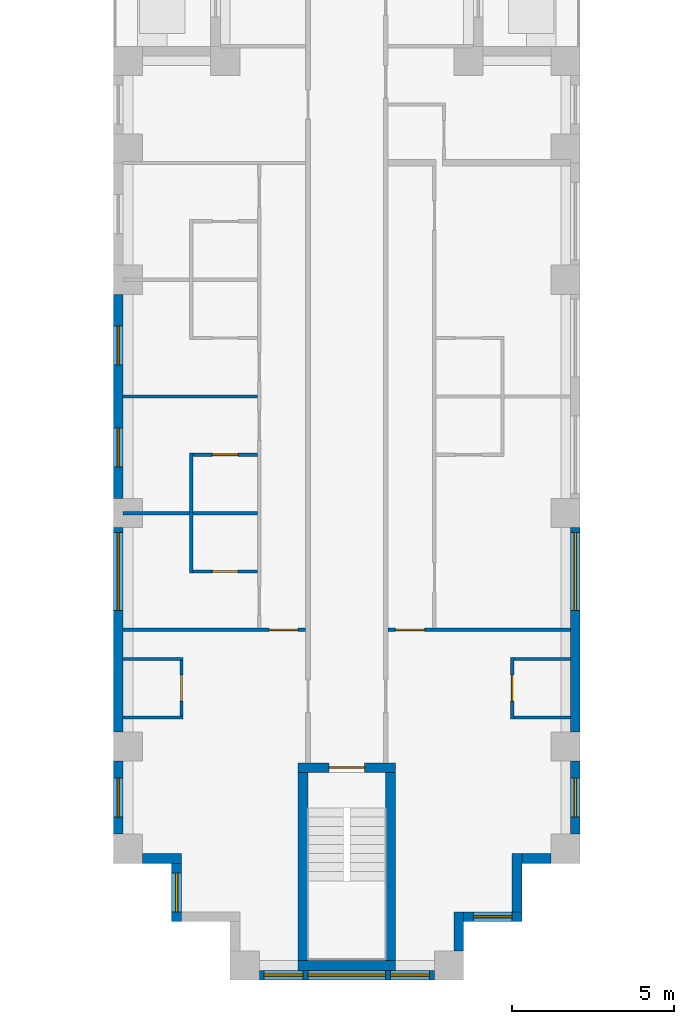
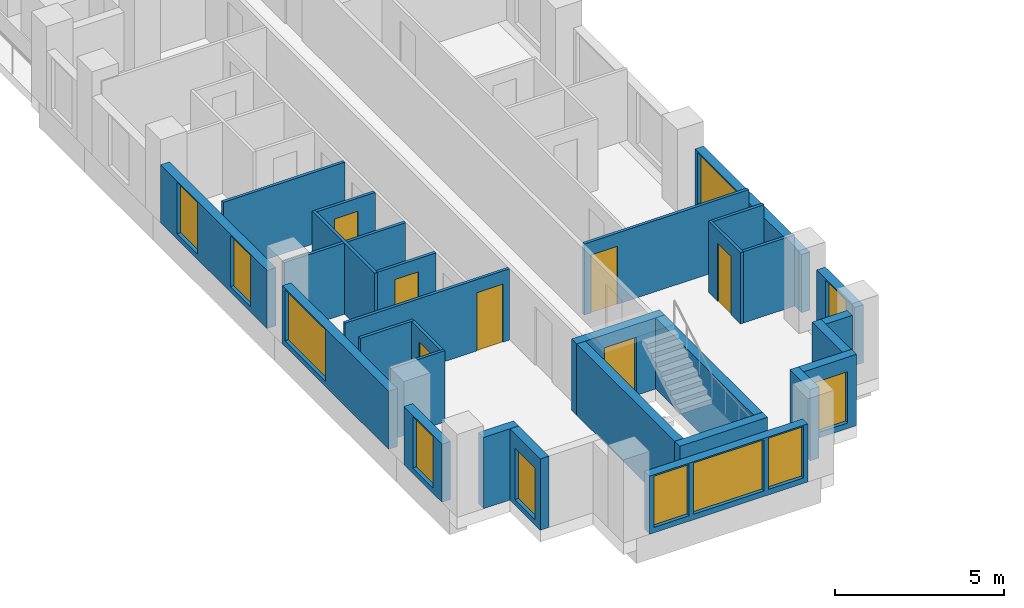
# One storey, part 3 of 13: 29 walls, 11 windows, 7 doors, 18 openings.
"""IFC4 building model written with IfcOpenShell, lengths in metres."""

import ifcopenshell
import ifcopenshell.guid

model = None  # the IFC model being written
_history = None  # IfcOwnerHistory: only IFC2X3 demands one
_inside = {}  # id of a spatial element -> (the spatial element, [elements in it])
_under = {}  # id of a project, library or spatial element -> (it, [spatial elements below it])
_declared = {}  # id of a project -> (the project, [libraries it declares])
_typed = {}  # id of a type object -> (the type object, [elements of that type])
_made_of = {}  # id of a material, layer set ... -> (it, [elements and type objects made of it])


def new_model(schema):
    """Start an empty IFC model of exactly this schema.

    Asked for "IFC4X3", IfcOpenShell would pick the latest addendum, in which some entities
    have other attributes; the version numbers below select the first issue.
    IFC2X3 requires an IfcOwnerHistory on every rooted entity: one is made here for all.
    """
    global model, _history
    if schema == "IFC4X3":
        model = ifcopenshell.file(schema_version=(4, 3, 0, 0))
    else:
        model = ifcopenshell.file(schema=schema)
    _inside.clear()
    _under.clear()
    _declared.clear()
    _typed.clear()
    _made_of.clear()
    _history = None
    if model.schema == "IFC2X3":
        org = make("IfcOrganization", Name="unknown")
        user = make(
            "IfcPersonAndOrganization",
            ThePerson=make("IfcPerson", FamilyName="unknown"),
            TheOrganization=org,
        )
        app = make(
            "IfcApplication",
            ApplicationDeveloper=org,
            Version="unknown",
            ApplicationFullName="unknown",
            ApplicationIdentifier="unknown",
        )
        _history = make(
            "IfcOwnerHistory",
            OwningUser=user,
            OwningApplication=app,
            ChangeAction="ADDED",
            CreationDate=0,
        )
    return model


def make(cls, **values):
    """One entity of the class cls with the attributes given. An attribute that is None is left unset."""
    return model.create_entity(
        cls, **{name: value for name, value in values.items() if value is not None}
    )


def rooted(cls, **values):
    """An entity with a GlobalId (a new one), such as an element, a storey or a relation."""
    return make(cls, GlobalId=ifcopenshell.guid.new(), OwnerHistory=_history, **values)


def si_unit(unit_type, name, prefix=None):
    """IfcSIUnit, for example si_unit("LENGTHUNIT", "METRE", prefix="MILLI")."""
    return make("IfcSIUnit", UnitType=unit_type, Prefix=prefix, Name=name)


def assignment(units):
    """IfcUnitAssignment: the units of a project."""
    return None if units is None else make("IfcUnitAssignment", Units=units)


def point(xyz):
    """IfcCartesianPoint."""
    return None if xyz is None else make("IfcCartesianPoint", Coordinates=xyz)


def direction(xyz):
    """IfcDirection."""
    return None if xyz is None else make("IfcDirection", DirectionRatios=xyz)


def frame(location, z_axis=None, x_axis=None):
    """IfcAxis2Placement3D, a coordinate frame: its origin and axes. An axis left out is left unset."""
    return make(
        "IfcAxis2Placement3D",
        Location=point(location),
        Axis=direction(z_axis),
        RefDirection=direction(x_axis),
    )


def frame_2d(location, x_axis=None):
    """IfcAxis2Placement2D, a coordinate frame in the plane: its origin and x axis."""
    return make(
        "IfcAxis2Placement2D", Location=point(location), RefDirection=direction(x_axis)
    )


def origin():
    """The frame at (0, 0, 0) with its axes left unset."""
    return frame((0.0, 0.0, 0.0))


def place(relative_to, where):
    """IfcLocalPlacement: puts the frame where relative to a parent placement (None: the world)."""
    return make(
        "IfcLocalPlacement", PlacementRelTo=relative_to, RelativePlacement=where
    )


def context(
    kind, dimensions, precision=None, world=None, true_north=None, identifier=None
):
    """IfcGeometricRepresentationContext, for example the 3D "Model" context."""
    return make(
        "IfcGeometricRepresentationContext",
        ContextIdentifier=identifier,
        ContextType=kind,
        CoordinateSpaceDimension=dimensions,
        Precision=precision,
        WorldCoordinateSystem=world,
        TrueNorth=true_north,
    )


def subcontext(parent, identifier, kind, view, scale=None):
    """IfcGeometricRepresentationSubContext, for example "Body" below "Model"."""
    return make(
        "IfcGeometricRepresentationSubContext",
        ContextIdentifier=identifier,
        ContextType=kind,
        ParentContext=parent,
        TargetScale=scale,
        TargetView=view,
    )


def project(units=None, contexts=None):
    """IfcProject with its units and contexts."""
    return rooted(
        "IfcProject",
        Name="project",
        RepresentationContexts=contexts,
        UnitsInContext=assignment(units),
    )


def spatial(cls, under=None, at=None, **own):
    """A site, building, storey or space (cls), placed at a placement, below another one or the project."""
    s = rooted(cls, ObjectPlacement=at, **own)
    if under is not None:
        _under.setdefault(under.id(), (under, []))[1].append(s)
    return s


def profile(cls, at=None, kind="AREA", **sizes):
    """A parametric profile (cls). Its sizes go by their IFC names, for example OverallWidth=200.0."""
    return make(cls, ProfileType=kind, Position=at, **sizes)


def rectangle(**sizes):
    """IfcRectangleProfileDef."""
    return profile("IfcRectangleProfileDef", **sizes)


def extrude(swept, where, along, depth):
    """IfcExtrudedAreaSolid: the profile swept, set in the frame where, extruded along a direction by depth."""
    return make(
        "IfcExtrudedAreaSolid",
        SweptArea=swept,
        Position=where,
        ExtrudedDirection=direction(along),
        Depth=depth,
    )


def shape(context_of_items, identifier, shape_type, items):
    """IfcShapeRepresentation: the items that make up one representation, for example the "Body"."""
    return make(
        "IfcShapeRepresentation",
        ContextOfItems=context_of_items,
        RepresentationIdentifier=identifier,
        RepresentationType=shape_type,
        Items=items,
    )


def material(Name=None, Category=None):
    """IfcMaterial."""
    return make("IfcMaterial", Name=Name, Category=Category)


def layer(
    of_material, thickness, ventilated=None, Name=None, Category=None, Priority=None
):
    """IfcMaterialLayer: one layer of a wall or slab, of a material (None: an air gap)."""
    return make(
        "IfcMaterialLayer",
        Material=of_material,
        LayerThickness=thickness,
        IsVentilated=ventilated,
        Name=Name,
        Category=Category,
        Priority=Priority,
    )


def layer_set(layers, Name=None):
    """IfcMaterialLayerSet."""
    return make("IfcMaterialLayerSet", MaterialLayers=layers, LayerSetName=Name)


def made_of(thing, what):
    """Note that an element or type object is made of a material, layer set ...; save() writes the relation."""
    if what is not None:
        _made_of.setdefault(what.id(), (what, []))[1].append(thing)
    return thing


def type_object(cls, material=None, **own):
    """A type object (cls), such as IfcWallType, which elements share."""
    return made_of(rooted(cls, **own), material)


def element(
    cls,
    number,
    at=None,
    inside=None,
    cuts=None,
    type_object=None,
    material=None,
    context=None,
    identifier="Body",
    shape_type=None,
    held_by="IfcProductDefinitionShape",
    body=None,
    shapes=None,
    **own,
):
    """One element of the class cls, such as IfcWall. Its Tag is "e" and its number.

    at: its placement. inside: the storey or other place that contains it. cuts: it is an
    opening in that element (IfcRelVoidsElement). A single representation is given by context,
    identifier, shape_type and body (its items); several are given by shapes. held_by: the class
    of the entity that holds the representations. save() writes the other relations.
    """
    e = rooted(cls, Tag="e%d" % number, ObjectPlacement=at, **own)
    if body is not None:
        shapes = [shape(context, identifier, shape_type, body)]
    if shapes is not None:
        e.Representation = make(held_by, Representations=shapes)
    if inside is not None:
        _inside.setdefault(inside.id(), (inside, []))[1].append(e)
    if cuts is not None:
        rooted(
            "IfcRelVoidsElement", RelatingBuildingElement=cuts, RelatedOpeningElement=e
        )
    if type_object is not None:
        _typed.setdefault(type_object.id(), (type_object, []))[1].append(e)
    return made_of(e, material)


def fill(opening, filler):
    """IfcRelFillsElement: the door or window that sits in an opening."""
    return rooted(
        "IfcRelFillsElement",
        RelatingOpeningElement=opening,
        RelatedBuildingElement=filler,
    )


def aggregate(whole, parts):
    """IfcRelAggregates: a whole, such as a stair, and the parts it consists of."""
    return rooted("IfcRelAggregates", RelatingObject=whole, RelatedObjects=parts)


def save(model, path):
    """Write the relations noted so far, then the file.

    IfcRelAggregates (storeys below a building ...), IfcRelContainedInSpatialStructure (elements
    in a storey), IfcRelDefinesByType, IfcRelAssociatesMaterial and IfcRelDeclares: one each for
    every whole, place, type object, material and project.
    """
    for whole, parts in _under.values():
        aggregate(whole, parts)
    for where, things in _inside.values():
        rooted(
            "IfcRelContainedInSpatialStructure",
            RelatedElements=things,
            RelatingStructure=where,
        )
    for kind, things in _typed.values():
        rooted("IfcRelDefinesByType", RelatedObjects=things, RelatingType=kind)
    for what, things in _made_of.values():
        rooted("IfcRelAssociatesMaterial", RelatedObjects=things, RelatingMaterial=what)
    for by, libraries in _declared.values():
        rooted("IfcRelDeclares", RelatingContext=by, RelatedDefinitions=libraries)
    model.write(path)


model = new_model("IFC4")

# Units and contexts
model_context = context("Model", 3, precision=1e-05, world=origin(), true_north=direction((0.0, 1.0)))
body_context = subcontext(model_context, "Body", "Model", "MODEL_VIEW")
ifc_project = project(units=[si_unit("LENGTHUNIT", "METRE"), si_unit("AREAUNIT", "SQUARE_METRE"), si_unit("VOLUMEUNIT", "CUBIC_METRE"), si_unit("PLANEANGLEUNIT", "RADIAN"), si_unit("MASSUNIT", "GRAM", prefix="KILO")], contexts=[model_context])

# Site, building, storey
site_placement = place(None, origin())
site = spatial("IfcSite", under=ifc_project, at=site_placement, CompositionType="ELEMENT")
building_placement = place(site_placement, origin())
building = spatial("IfcBuilding", under=site, at=building_placement, Name="Fustian Cross Tower", CompositionType="ELEMENT")
storey_placement = place(building_placement, frame((0.0, 0.0, 84.89990234375)))
storey = spatial("IfcBuildingStorey", under=building, at=storey_placement, Name="L26", CompositionType="ELEMENT", Elevation=84.89990234375)

# Walls
ifc_material_1 = material(Name="Plasterboard on steel stud", Category="steel")
ifc_layer_1 = layer(ifc_material_1, 0.10009765625)
ifc_layer_set_1 = layer_set([ifc_layer_1], Name="Plasterboard on steel stud")
wall_type_1 = type_object("IfcWallType", Name="PARTITION 100 STUD", PredefinedType="PARTITIONING", material=ifc_layer_set_1)
for number, where, z_axis, x_axis, name in (
    (1, (-6.89990234375, -35.10009765625, 0.0), (0.0, 0.0, 1.0), (1.0, 0.0, 0.0), "Partition 17"),
    (2, (-6.89990234375, -33.300048828125, 0.0), (0.0, 0.0, 1.0), (1.0, 0.0, 0.0), "Partition 18"),
):
    element("IfcWall", number, at=place(storey_placement, frame(where, z_axis=z_axis, x_axis=x_axis)), inside=storey, type_object=wall_type_1, Name=name, PredefinedType="PARTITIONING", context=body_context, shape_type="SweptSolid", body=[
        extrude(rectangle(XDim=1.849853515625, YDim=0.10009765625, at=frame_2d((0.9248046875, 0.0))), origin(), (0.0, 0.0, 1.0), 2.5751953125),
    ])

# Wall, opening, door
wall_1_placement = place(storey_placement, frame((-6.89990234375, -32.39990234375, 0.0), z_axis=(0.0, 0.0, 1.0), x_axis=(1.0, 0.0, 0.0)))
wall_1 = element("IfcWall", 3, at=wall_1_placement, inside=storey, type_object=wall_type_1, Name="Partition 19", PredefinedType="PARTITIONING", context=body_context, shape_type="SweptSolid", body=[
    extrude(rectangle(XDim=5.625, YDim=0.10009765625, at=frame_2d((2.8125, 0.0))), origin(), (0.0, 0.0, 1.0), 2.5751953125),
])
opening_1_placement = place(wall_1_placement, frame((4.5, 0.0, 0.0)))
opening_1 = element("IfcOpeningElement", 4, at=opening_1_placement, cuts=wall_1, Name="Opening D13051", PredefinedType="OPENING", context=body_context, shape_type="SweptSolid", body=[
    extrude(rectangle(XDim=0.89990234375, YDim=2.10009765625, at=frame_2d((0.449951171875, 1.050048828125))), frame((0.0, 0.06005859375, 0.0), z_axis=(0.0, -1.0, 0.0), x_axis=(1.0, 0.0, 0.0)), (0.0, 0.0, 1.0), 0.1201171875),
])
ifc_material_2 = material(Name="Painted timber", Category="wood")
door_type_1 = type_object("IfcDoorType", Name="SWING DOOR 900", OperationType="SINGLE_SWING_LEFT", PredefinedType="DOOR", material=ifc_material_2)
door_1_placement = place(opening_1_placement, origin())
door_1 = element("IfcDoor", 5, at=door_1_placement, inside=storey, type_object=door_type_1, Name="Door D13051", OperationType="SINGLE_SWING_LEFT", OverallHeight=2.10009765625, OverallWidth=0.89990234375, PredefinedType="DOOR", context=body_context, shape_type="SweptSolid", body=[
    extrude(rectangle(XDim=0.89990234375, YDim=2.10009765625, at=frame_2d((0.449951171875, 1.050048828125))), frame((0.0, 0.02490234375, 0.0), z_axis=(0.0, -1.0, 0.0), x_axis=(1.0, 0.0, 0.0)), (0.0, 0.0, 1.0), 0.050048828125),
])
fill(opening_1, door_1)

# Walls
for number, where, z_axis, x_axis, name in (
    (6, (-6.89990234375, -28.800048828125, 0.0), (0.0, 0.0, 1.0), (1.0, 0.0, 0.0), "Partition 20"),
    (7, (-6.89990234375, -25.199951171875, 0.0), (0.0, 0.0, 1.0), (1.0, 0.0, 0.0), "Partition 21"),
):
    element("IfcWall", number, at=place(storey_placement, frame(where, z_axis=z_axis, x_axis=x_axis)), inside=storey, type_object=wall_type_1, Name=name, PredefinedType="PARTITIONING", context=body_context, shape_type="SweptSolid", body=[
        extrude(rectangle(XDim=4.14990234375, YDim=0.10009765625, at=frame_2d((2.074951171875, 0.0))), origin(), (0.0, 0.0, 1.0), 2.5751953125),
    ])

# Wall, opening, door
wall_2_placement = place(storey_placement, frame((-5.10009765625, -35.050048828125, 0.0), z_axis=(0.0, 0.0, 1.0), x_axis=(0.0, 1.0, 0.0)))
wall_2 = element("IfcWall", 8, at=wall_2_placement, inside=storey, type_object=wall_type_1, Name="Partition 24", PredefinedType="PARTITIONING", context=body_context, shape_type="SweptSolid", body=[
    extrude(rectangle(XDim=1.699951171875, YDim=0.10009765625, at=frame_2d((0.85009765625, 0.0))), origin(), (0.0, 0.0, 1.0), 2.5751953125),
])
opening_2_placement = place(wall_2_placement, frame((0.449951171875, 0.0, 0.0)))
opening_2 = element("IfcOpeningElement", 9, at=opening_2_placement, cuts=wall_2, Name="Opening D13045", PredefinedType="OPENING", context=body_context, shape_type="SweptSolid", body=[
    extrude(rectangle(XDim=0.800048828125, YDim=2.10009765625, at=frame_2d((0.39990234375, 1.050048828125))), frame((0.0, 0.06005859375, 0.0), z_axis=(0.0, -1.0, 0.0), x_axis=(1.0, 0.0, 0.0)), (0.0, 0.0, 1.0), 0.1201171875),
])
ifc_material_3 = material(Name="Painted timber", Category="wood")
door_type_2 = type_object("IfcDoorType", Name="SWING DOOR 800", OperationType="SINGLE_SWING_LEFT", PredefinedType="DOOR", material=ifc_material_3)
door_2_placement = place(opening_2_placement, origin())
door_2 = element("IfcDoor", 10, at=door_2_placement, inside=storey, type_object=door_type_2, Name="Door D13045", OperationType="SINGLE_SWING_RIGHT", OverallHeight=2.10009765625, OverallWidth=0.800048828125, PredefinedType="DOOR", context=body_context, shape_type="SweptSolid", body=[
    extrude(rectangle(XDim=0.800048828125, YDim=2.10009765625, at=frame_2d((0.39990234375, 1.050048828125))), frame((0.0, 0.02490234375, 0.0), z_axis=(0.0, -1.0, 0.0), x_axis=(1.0, 0.0, 0.0)), (0.0, 0.0, 1.0), 0.050048828125),
])
fill(opening_2, door_2)

# Wall
wall_3_placement = place(storey_placement, frame((-4.800048828125, -30.64990234375, 0.0), z_axis=(0.0, 0.0, 1.0), x_axis=(0.0, 1.0, 0.0)))
element("IfcWall", 11, at=wall_3_placement, inside=storey, type_object=wall_type_1, Name="Partition 25", PredefinedType="PARTITIONING", context=body_context, shape_type="SweptSolid", body=[
    extrude(rectangle(XDim=3.699951171875, YDim=0.10009765625, at=frame_2d((1.85009765625, 0.0))), origin(), (0.0, 0.0, 1.0), 2.5751953125),
])

# Wall, opening, door
wall_4_placement = place(storey_placement, frame((-4.75, -30.60009765625, 0.0), z_axis=(0.0, 0.0, 1.0), x_axis=(1.0, 0.0, 0.0)))
wall_4 = element("IfcWall", 12, at=wall_4_placement, inside=storey, type_object=wall_type_1, Name="Partition 26", PredefinedType="PARTITIONING", context=body_context, shape_type="SweptSolid", body=[
    extrude(rectangle(XDim=2.0, YDim=0.10009765625, at=frame_2d((1.0, 0.0))), origin(), (0.0, 0.0, 1.0), 2.5751953125),
])
opening_3_placement = place(wall_4_placement, frame((0.60009765625, 0.0, 0.0)))
opening_3 = element("IfcOpeningElement", 13, at=opening_3_placement, cuts=wall_4, Name="Opening D13055", PredefinedType="OPENING", context=body_context, shape_type="SweptSolid", body=[
    extrude(rectangle(XDim=0.800048828125, YDim=2.10009765625, at=frame_2d((0.39990234375, 1.050048828125))), frame((0.0, 0.06005859375, 0.0), z_axis=(0.0, -1.0, 0.0), x_axis=(1.0, 0.0, 0.0)), (0.0, 0.0, 1.0), 0.1201171875),
])
door_3_placement = place(opening_3_placement, origin())
door_3 = element("IfcDoor", 14, at=door_3_placement, inside=storey, type_object=door_type_2, Name="Door D13055", OperationType="SINGLE_SWING_LEFT", OverallHeight=2.10009765625, OverallWidth=0.800048828125, PredefinedType="DOOR", context=body_context, shape_type="SweptSolid", body=[
    extrude(rectangle(XDim=0.800048828125, YDim=2.10009765625, at=frame_2d((0.39990234375, 1.050048828125))), frame((0.0, 0.02490234375, 0.0), z_axis=(0.0, -1.0, 0.0), x_axis=(1.0, 0.0, 0.0)), (0.0, 0.0, 1.0), 0.050048828125),
])
fill(opening_3, door_3)

wall_5_placement = place(storey_placement, frame((-4.75, -27.0, 0.0), z_axis=(0.0, 0.0, 1.0), x_axis=(1.0, 0.0, 0.0)))
wall_5 = element("IfcWall", 15, at=wall_5_placement, inside=storey, type_object=wall_type_1, Name="Partition 27", PredefinedType="PARTITIONING", context=body_context, shape_type="SweptSolid", body=[
    extrude(rectangle(XDim=2.0, YDim=0.10009765625, at=frame_2d((1.0, 0.0))), origin(), (0.0, 0.0, 1.0), 2.5751953125),
])
opening_4_placement = place(wall_5_placement, frame((0.60009765625, 0.0, 0.0)))
opening_4 = element("IfcOpeningElement", 16, at=opening_4_placement, cuts=wall_5, Name="Opening D13054", PredefinedType="OPENING", context=body_context, shape_type="SweptSolid", body=[
    extrude(rectangle(XDim=0.800048828125, YDim=2.10009765625, at=frame_2d((0.39990234375, 1.050048828125))), frame((0.0, 0.06005859375, 0.0), z_axis=(0.0, -1.0, 0.0), x_axis=(1.0, 0.0, 0.0)), (0.0, 0.0, 1.0), 0.1201171875),
])
door_4_placement = place(opening_4_placement, frame((0.800048828125, 0.0, 0.0), z_axis=(0.0, 0.0, 1.0), x_axis=(-1.0, 0.0, 0.0)))
door_4 = element("IfcDoor", 17, at=door_4_placement, inside=storey, type_object=door_type_2, Name="Door D13054", OperationType="SINGLE_SWING_RIGHT", OverallHeight=2.10009765625, OverallWidth=0.800048828125, PredefinedType="DOOR", context=body_context, shape_type="SweptSolid", body=[
    extrude(rectangle(XDim=0.800048828125, YDim=2.10009765625, at=frame_2d((0.39990234375, 1.050048828125))), frame((0.0, 0.02490234375, 0.0), z_axis=(0.0, -1.0, 0.0), x_axis=(1.0, 0.0, 0.0)), (0.0, 0.0, 1.0), 0.050048828125),
])
fill(opening_4, door_4)

wall_6_placement = place(storey_placement, frame((1.27490234375, -32.39990234375, 0.0), z_axis=(0.0, 0.0, 1.0), x_axis=(1.0, 0.0, 0.0)))
wall_6 = element("IfcWall", 18, at=wall_6_placement, inside=storey, type_object=wall_type_1, Name="Partition 42", PredefinedType="PARTITIONING", context=body_context, shape_type="SweptSolid", body=[
    extrude(rectangle(XDim=5.625, YDim=0.10009765625, at=frame_2d((2.8125, 0.0))), origin(), (0.0, 0.0, 1.0), 2.5751953125),
])
opening_5_placement = place(wall_6_placement, frame((0.22509765625, 0.0, 0.0)))
opening_5 = element("IfcOpeningElement", 19, at=opening_5_placement, cuts=wall_6, Name="Opening D13038", PredefinedType="OPENING", context=body_context, shape_type="SweptSolid", body=[
    extrude(rectangle(XDim=0.89990234375, YDim=2.10009765625, at=frame_2d((0.449951171875, 1.050048828125))), frame((0.0, 0.06005859375, 0.0), z_axis=(0.0, -1.0, 0.0), x_axis=(1.0, 0.0, 0.0)), (0.0, 0.0, 1.0), 0.1201171875),
])
door_5_placement = place(opening_5_placement, origin())
door_5 = element("IfcDoor", 20, at=door_5_placement, inside=storey, type_object=door_type_1, Name="Door D13038", OperationType="SINGLE_SWING_LEFT", OverallHeight=2.10009765625, OverallWidth=0.89990234375, PredefinedType="DOOR", context=body_context, shape_type="SweptSolid", body=[
    extrude(rectangle(XDim=0.89990234375, YDim=2.10009765625, at=frame_2d((0.449951171875, 1.050048828125))), frame((0.0, 0.02490234375, 0.0), z_axis=(0.0, -1.0, 0.0), x_axis=(1.0, 0.0, 0.0)), (0.0, 0.0, 1.0), 0.050048828125),
])
fill(opening_5, door_5)

wall_7_placement = place(storey_placement, frame((5.10009765625, -35.14990234375, 0.0), z_axis=(0.0, 0.0, 1.0), x_axis=(0.0, 1.0, 0.0)))
wall_7 = element("IfcWall", 21, at=wall_7_placement, inside=storey, type_object=wall_type_1, Name="Partition 66", PredefinedType="PARTITIONING", context=body_context, shape_type="SweptSolid", body=[
    extrude(rectangle(XDim=1.89990234375, YDim=0.10009765625, at=frame_2d((0.949951171875, 0.0))), origin(), (0.0, 0.0, 1.0), 2.5751953125),
])
opening_6_placement = place(wall_7_placement, frame((0.550048828125, 0.0, 0.0)))
opening_6 = element("IfcOpeningElement", 22, at=opening_6_placement, cuts=wall_7, Name="Opening D13036", PredefinedType="OPENING", context=body_context, shape_type="SweptSolid", body=[
    extrude(rectangle(XDim=0.800048828125, YDim=2.10009765625, at=frame_2d((0.39990234375, 1.050048828125))), frame((0.0, 0.06005859375, 0.0), z_axis=(0.0, -1.0, 0.0), x_axis=(1.0, 0.0, 0.0)), (0.0, 0.0, 1.0), 0.1201171875),
])
door_6_placement = place(opening_6_placement, frame((0.800048828125, 0.0, 0.0), z_axis=(0.0, 0.0, 1.0), x_axis=(-1.0, 0.0, 0.0)))
door_6 = element("IfcDoor", 23, at=door_6_placement, inside=storey, type_object=door_type_2, Name="Door D13036", OperationType="SINGLE_SWING_LEFT", OverallHeight=2.10009765625, OverallWidth=0.800048828125, PredefinedType="DOOR", context=body_context, shape_type="SweptSolid", body=[
    extrude(rectangle(XDim=0.800048828125, YDim=2.10009765625, at=frame_2d((0.39990234375, 1.050048828125))), frame((0.0, 0.02490234375, 0.0), z_axis=(0.0, -1.0, 0.0), x_axis=(1.0, 0.0, 0.0)), (0.0, 0.0, 1.0), 0.050048828125),
])
fill(opening_6, door_6)

# Walls
for number, where, z_axis, x_axis, name in (
    (24, (5.14990234375, -35.10009765625, 0.0), (0.0, 0.0, 1.0), (1.0, 0.0, 0.0), "Partition 67"),
    (25, (5.14990234375, -33.300048828125, 0.0), (0.0, 0.0, 1.0), (1.0, 0.0, 0.0), "Partition 68"),
):
    element("IfcWall", number, at=place(storey_placement, frame(where, z_axis=z_axis, x_axis=x_axis)), inside=storey, type_object=wall_type_1, Name=name, PredefinedType="PARTITIONING", context=body_context, shape_type="SweptSolid", body=[
        extrude(rectangle(XDim=1.75, YDim=0.10009765625, at=frame_2d((0.875, 0.0))), origin(), (0.0, 0.0, 1.0), 2.5751953125),
    ])

# Wall, opening, door
ifc_material_4 = material(Name="Concrete C50/60", Category="concrete")
ifc_layer_2 = layer(ifc_material_4, 0.300048828125)
ifc_layer_set_2 = layer_set([ifc_layer_2], Name="Concrete C50/60")
wall_type_2 = type_object("IfcWallType", Name="STAIR ENCLOSURE WALL 300 C50/60", PredefinedType="SHEAR", material=ifc_layer_set_2)
wall_8_placement = place(storey_placement, frame((-1.5, -36.64990234375, 0.0), z_axis=(0.0, 0.0, 1.0), x_axis=(1.0, 0.0, 0.0)))
wall_8 = element("IfcWall", 26, at=wall_8_placement, inside=storey, type_object=wall_type_2, Name="Stair enclosure wall", PredefinedType="SHEAR", context=body_context, shape_type="SweptSolid", body=[
    extrude(rectangle(XDim=3.0, YDim=0.300048828125, at=frame_2d((1.5, 0.0))), origin(), (0.0, 0.0, 1.0), 2.5751953125),
])
opening_7_placement = place(wall_8_placement, frame((0.949951171875, 0.0, 0.0)))
opening_7 = element("IfcOpeningElement", 27, at=opening_7_placement, cuts=wall_8, Name="Opening CD-11-31", PredefinedType="OPENING", context=body_context, shape_type="SweptSolid", body=[
    extrude(rectangle(XDim=1.10009765625, YDim=2.10009765625, at=frame_2d((0.550048828125, 1.050048828125))), frame((0.0, 0.159912109375, 0.0), z_axis=(0.0, -1.0, 0.0), x_axis=(1.0, 0.0, 0.0)), (0.0, 0.0, 1.0), 0.320068359375),
])
ifc_material_5 = material(Name="Steel", Category="steel")
door_type_3 = type_object("IfcDoorType", Name="FIRE DOOR FD60S 1100X2100", OperationType="SINGLE_SWING_LEFT", PredefinedType="DOOR", material=ifc_material_5)
door_7_placement = place(opening_7_placement, frame((1.10009765625, 0.0, 0.0), z_axis=(0.0, 0.0, 1.0), x_axis=(-1.0, 0.0, 0.0)))
door_7 = element("IfcDoor", 28, at=door_7_placement, inside=storey, type_object=door_type_3, Name="Core door CD-11-31", OperationType="SINGLE_SWING_RIGHT", OverallHeight=2.10009765625, OverallWidth=1.10009765625, PredefinedType="DOOR", context=body_context, shape_type="SweptSolid", body=[
    extrude(rectangle(XDim=1.10009765625, YDim=2.10009765625, at=frame_2d((0.550048828125, 1.050048828125))), frame((0.0, 0.02490234375, 0.0), z_axis=(0.0, -1.0, 0.0), x_axis=(1.0, 0.0, 0.0)), (0.0, 0.0, 1.0), 0.050048828125),
])
fill(opening_7, door_7)

# Walls
wall_9_placement = place(storey_placement, frame((-1.5, -42.75, 0.0), z_axis=(0.0, 0.0, 1.0), x_axis=(1.0, 0.0, 0.0)))
element("IfcWall", 29, at=wall_9_placement, inside=storey, type_object=wall_type_2, Name="Stair enclosure wall", PredefinedType="SHEAR", context=body_context, shape_type="SweptSolid", body=[
    extrude(rectangle(XDim=3.0, YDim=0.300048828125, at=frame_2d((1.5, 0.0))), origin(), (0.0, 0.0, 1.0), 2.5751953125),
])
for number, where, z_axis, x_axis, name in (
    (30, (-1.35009765625, -36.800048828125, 0.0), (0.0, 0.0, 1.0), (0.0, -1.0, 0.0), "Stair enclosure wall"),
    (31, (1.35009765625, -36.800048828125, 0.0), (0.0, 0.0, 1.0), (0.0, -1.0, 0.0), "Stair enclosure wall"),
):
    element("IfcWall", number, at=place(storey_placement, frame(where, z_axis=z_axis, x_axis=x_axis)), inside=storey, type_object=wall_type_2, Name=name, PredefinedType="SHEAR", context=body_context, shape_type="SweptSolid", body=[
        extrude(rectangle(XDim=5.800048828125, YDim=0.300048828125, at=frame_2d((2.89990234375, 0.0))), origin(), (0.0, 0.0, 1.0), 2.5751953125),
    ])

# Wall, openings, windows
ifc_material_6 = material(Name="Dark aluminium cladding on insulated backing wall", Category="aluminium")
ifc_layer_3 = layer(ifc_material_6, 0.300048828125)
ifc_layer_set_3 = layer_set([ifc_layer_3], Name="Dark aluminium cladding on insulated backing wall")
wall_type_3 = type_object("IfcWallType", Name="XW1 EXTERNAL WALL 300", PredefinedType="SOLIDWALL", material=ifc_layer_set_3)
wall_10_placement = place(storey_placement, frame((-7.050048828125, -22.050048828125, 0.0), z_axis=(0.0, 0.0, 1.0), x_axis=(0.0, -1.0, 0.0)))
wall_10 = element("IfcWall", 32, at=wall_10_placement, inside=storey, type_object=wall_type_3, Name="External wall", PredefinedType="SOLIDWALL", context=body_context, shape_type="SweptSolid", body=[
    extrude(rectangle(XDim=6.300048828125, YDim=0.300048828125, at=frame_2d((3.14990234375, 0.0))), origin(), (0.0, 0.0, 1.0), 2.10009765625),
])
opening_8_placement = place(wall_10_placement, frame((0.97509765625, 0.0, 0.199951171875)))
opening_8 = element("IfcOpeningElement", 33, at=opening_8_placement, cuts=wall_10, Name="Opening WN3", PredefinedType="OPENING", context=body_context, shape_type="SweptSolid", body=[
    extrude(rectangle(XDim=1.199951171875, YDim=1.85009765625, at=frame_2d((0.60009765625, 0.925048828125))), frame((0.0, 0.159912109375, 0.0), z_axis=(0.0, -1.0, 0.0), x_axis=(1.0, 0.0, 0.0)), (0.0, 0.0, 1.0), 0.320068359375),
])
opening_9_placement = place(wall_10_placement, frame((4.125, 0.0, 0.199951171875)))
opening_9 = element("IfcOpeningElement", 34, at=opening_9_placement, cuts=wall_10, Name="Opening WN3", PredefinedType="OPENING", context=body_context, shape_type="SweptSolid", body=[
    extrude(rectangle(XDim=1.199951171875, YDim=1.85009765625, at=frame_2d((0.60009765625, 0.925048828125))), frame((0.0, 0.159912109375, 0.0), z_axis=(0.0, -1.0, 0.0), x_axis=(1.0, 0.0, 0.0)), (0.0, 0.0, 1.0), 0.320068359375),
])
ifc_material_7 = material(Name="Dark anodised aluminium and double glazing", Category="aluminium")
window_type_1 = type_object("IfcWindowType", Name="WN3 WINDOW 1200X1850", PartitioningType="SINGLE_PANEL", PredefinedType="WINDOW", material=ifc_material_7)
window_1_placement = place(opening_8_placement, origin())
window_1 = element("IfcWindow", 35, at=window_1_placement, inside=storey, type_object=window_type_1, Name="Window", OverallHeight=1.85009765625, OverallWidth=1.199951171875, PartitioningType="SINGLE_PANEL", PredefinedType="WINDOW", context=body_context, shape_type="SweptSolid", body=[
    extrude(rectangle(XDim=1.199951171875, YDim=1.85009765625, at=frame_2d((0.60009765625, 0.925048828125))), frame((0.0, 0.030029296875, 0.0), z_axis=(0.0, -1.0, 0.0), x_axis=(1.0, 0.0, 0.0)), (0.0, 0.0, 1.0), 0.06005859375),
])
fill(opening_8, window_1)
window_2_placement = place(opening_9_placement, origin())
window_2 = element("IfcWindow", 36, at=window_2_placement, inside=storey, type_object=window_type_1, Name="Window", OverallHeight=1.85009765625, OverallWidth=1.199951171875, PartitioningType="SINGLE_PANEL", PredefinedType="WINDOW", context=body_context, shape_type="SweptSolid", body=[
    extrude(rectangle(XDim=1.199951171875, YDim=1.85009765625, at=frame_2d((0.60009765625, 0.925048828125))), frame((0.0, 0.030029296875, 0.0), z_axis=(0.0, -1.0, 0.0), x_axis=(1.0, 0.0, 0.0)), (0.0, 0.0, 1.0), 0.06005859375),
])
fill(opening_9, window_2)

# Wall, opening, window
wall_11_placement = place(storey_placement, frame((-7.050048828125, -29.25, 0.0), z_axis=(0.0, 0.0, 1.0), x_axis=(0.0, -1.0, 0.0)))
wall_11 = element("IfcWall", 37, at=wall_11_placement, inside=storey, type_object=wall_type_3, Name="External wall", PredefinedType="SOLIDWALL", context=body_context, shape_type="SweptSolid", body=[
    extrude(rectangle(XDim=6.300048828125, YDim=0.300048828125, at=frame_2d((3.14990234375, 0.0))), origin(), (0.0, 0.0, 1.0), 2.10009765625),
])
opening_10_placement = place(wall_11_placement, frame((0.14990234375, 0.0, 0.199951171875)))
opening_10 = element("IfcOpeningElement", 38, at=opening_10_placement, cuts=wall_11, Name="Opening WN1", PredefinedType="OPENING", context=body_context, shape_type="SweptSolid", body=[
    extrude(rectangle(XDim=2.39990234375, YDim=1.85009765625, at=frame_2d((1.199951171875, 0.925048828125))), frame((0.0, 0.159912109375, 0.0), z_axis=(0.0, -1.0, 0.0), x_axis=(1.0, 0.0, 0.0)), (0.0, 0.0, 1.0), 0.320068359375),
])
ifc_material_8 = material(Name="Dark anodised aluminium and double glazing", Category="aluminium")
window_type_2 = type_object("IfcWindowType", Name="WN1 WINDOW 2400X1850", PartitioningType="SINGLE_PANEL", PredefinedType="WINDOW", material=ifc_material_8)
window_3_placement = place(opening_10_placement, origin())
window_3 = element("IfcWindow", 39, at=window_3_placement, inside=storey, type_object=window_type_2, Name="Window", OverallHeight=1.85009765625, OverallWidth=2.39990234375, PartitioningType="SINGLE_PANEL", PredefinedType="WINDOW", context=body_context, shape_type="SweptSolid", body=[
    extrude(rectangle(XDim=2.39990234375, YDim=1.85009765625, at=frame_2d((1.199951171875, 0.925048828125))), frame((0.0, 0.030029296875, 0.0), z_axis=(0.0, -1.0, 0.0), x_axis=(1.0, 0.0, 0.0)), (0.0, 0.0, 1.0), 0.06005859375),
])
fill(opening_10, window_3)

wall_12_placement = place(storey_placement, frame((-7.050048828125, -36.449951171875, 0.0), z_axis=(0.0, 0.0, 1.0), x_axis=(0.0, -1.0, 0.0)))
wall_12 = element("IfcWall", 40, at=wall_12_placement, inside=storey, type_object=wall_type_3, Name="External wall", PredefinedType="SOLIDWALL", context=body_context, shape_type="SweptSolid", body=[
    extrude(rectangle(XDim=2.25, YDim=0.300048828125, at=frame_2d((1.125, 0.0))), origin(), (0.0, 0.0, 1.0), 2.10009765625),
])
opening_11_placement = place(wall_12_placement, frame((0.52490234375, 0.0, 0.199951171875)))
opening_11 = element("IfcOpeningElement", 41, at=opening_11_placement, cuts=wall_12, Name="Opening WN3", PredefinedType="OPENING", context=body_context, shape_type="SweptSolid", body=[
    extrude(rectangle(XDim=1.199951171875, YDim=1.85009765625, at=frame_2d((0.60009765625, 0.925048828125))), frame((0.0, 0.159912109375, 0.0), z_axis=(0.0, -1.0, 0.0), x_axis=(1.0, 0.0, 0.0)), (0.0, 0.0, 1.0), 0.320068359375),
])
window_4_placement = place(opening_11_placement, origin())
window_4 = element("IfcWindow", 42, at=window_4_placement, inside=storey, type_object=window_type_1, Name="Window", OverallHeight=1.85009765625, OverallWidth=1.199951171875, PartitioningType="SINGLE_PANEL", PredefinedType="WINDOW", context=body_context, shape_type="SweptSolid", body=[
    extrude(rectangle(XDim=1.199951171875, YDim=1.85009765625, at=frame_2d((0.60009765625, 0.925048828125))), frame((0.0, 0.030029296875, 0.0), z_axis=(0.0, -1.0, 0.0), x_axis=(1.0, 0.0, 0.0)), (0.0, 0.0, 1.0), 0.06005859375),
])
fill(opening_11, window_4)

# Wall
wall_13_placement = place(storey_placement, frame((-6.300048828125, -39.449951171875, 0.0), z_axis=(0.0, 0.0, 1.0), x_axis=(1.0, 0.0, 0.0)))
element("IfcWall", 43, at=wall_13_placement, inside=storey, type_object=wall_type_3, Name="External wall", PredefinedType="SOLIDWALL", context=body_context, shape_type="SweptSolid", body=[
    extrude(rectangle(XDim=1.199951171875, YDim=0.300048828125, at=frame_2d((0.60009765625, 0.0))), origin(), (0.0, 0.0, 1.0), 2.5751953125),
])

# Wall, opening, window
wall_14_placement = place(storey_placement, frame((-5.25, -39.60009765625, 0.0), z_axis=(0.0, 0.0, 1.0), x_axis=(0.0, -1.0, 0.0)))
wall_14 = element("IfcWall", 44, at=wall_14_placement, inside=storey, type_object=wall_type_3, Name="External wall", PredefinedType="SOLIDWALL", context=body_context, shape_type="SweptSolid", body=[
    extrude(rectangle(XDim=1.7998046875, YDim=0.300048828125, at=frame_2d((0.89990234375, 0.0))), origin(), (0.0, 0.0, 1.0), 2.5751953125),
])
opening_12_placement = place(wall_14_placement, frame((0.300048828125, 0.0, 0.199951171875)))
opening_12 = element("IfcOpeningElement", 45, at=opening_12_placement, cuts=wall_14, Name="Opening WN3", PredefinedType="OPENING", context=body_context, shape_type="SweptSolid", body=[
    extrude(rectangle(XDim=1.199951171875, YDim=1.85009765625, at=frame_2d((0.60009765625, 0.925048828125))), frame((0.0, 0.159912109375, 0.0), z_axis=(0.0, -1.0, 0.0), x_axis=(1.0, 0.0, 0.0)), (0.0, 0.0, 1.0), 0.320068359375),
])
window_5_placement = place(opening_12_placement, origin())
window_5 = element("IfcWindow", 46, at=window_5_placement, inside=storey, type_object=window_type_1, Name="Window", OverallHeight=1.85009765625, OverallWidth=1.199951171875, PartitioningType="SINGLE_PANEL", PredefinedType="WINDOW", context=body_context, shape_type="SweptSolid", body=[
    extrude(rectangle(XDim=1.199951171875, YDim=1.85009765625, at=frame_2d((0.60009765625, 0.925048828125))), frame((0.0, 0.030029296875, 0.0), z_axis=(0.0, -1.0, 0.0), x_axis=(1.0, 0.0, 0.0)), (0.0, 0.0, 1.0), 0.06005859375),
])
fill(opening_12, window_5)

# Wall, openings, windows
wall_15_placement = place(storey_placement, frame((-2.699951171875, -43.050048828125, 0.0), z_axis=(0.0, 0.0, 1.0), x_axis=(1.0, 0.0, 0.0)))
wall_15 = element("IfcWall", 47, at=wall_15_placement, inside=storey, type_object=wall_type_3, Name="External wall", PredefinedType="SOLIDWALL", context=body_context, shape_type="SweptSolid", body=[
    extrude(rectangle(XDim=5.39990234375, YDim=0.300048828125, at=frame_2d((2.699951171875, 0.0))), origin(), (0.0, 0.0, 1.0), 2.10009765625),
])
opening_13_placement = place(wall_15_placement, frame((1.5, 0.0, 0.199951171875)))
opening_13 = element("IfcOpeningElement", 48, at=opening_13_placement, cuts=wall_15, Name="Opening WN1", PredefinedType="OPENING", context=body_context, shape_type="SweptSolid", body=[
    extrude(rectangle(XDim=2.39990234375, YDim=1.85009765625, at=frame_2d((1.199951171875, 0.925048828125))), frame((0.0, 0.159912109375, 0.0), z_axis=(0.0, -1.0, 0.0), x_axis=(1.0, 0.0, 0.0)), (0.0, 0.0, 1.0), 0.320068359375),
])
opening_14_placement = place(wall_15_placement, frame((0.14990234375, 0.0, 0.199951171875)))
opening_14 = element("IfcOpeningElement", 49, at=opening_14_placement, cuts=wall_15, Name="Opening WN3", PredefinedType="OPENING", context=body_context, shape_type="SweptSolid", body=[
    extrude(rectangle(XDim=1.199951171875, YDim=1.85009765625, at=frame_2d((0.60009765625, 0.925048828125))), frame((0.0, 0.159912109375, 0.0), z_axis=(0.0, -1.0, 0.0), x_axis=(1.0, 0.0, 0.0)), (0.0, 0.0, 1.0), 0.320068359375),
])
opening_15_placement = place(wall_15_placement, frame((4.050048828125, 0.0, 0.199951171875)))
opening_15 = element("IfcOpeningElement", 50, at=opening_15_placement, cuts=wall_15, Name="Opening WN3", PredefinedType="OPENING", context=body_context, shape_type="SweptSolid", body=[
    extrude(rectangle(XDim=1.199951171875, YDim=1.85009765625, at=frame_2d((0.60009765625, 0.925048828125))), frame((0.0, 0.159912109375, 0.0), z_axis=(0.0, -1.0, 0.0), x_axis=(1.0, 0.0, 0.0)), (0.0, 0.0, 1.0), 0.320068359375),
])
window_6_placement = place(opening_13_placement, origin())
window_6 = element("IfcWindow", 51, at=window_6_placement, inside=storey, type_object=window_type_2, Name="Window", OverallHeight=1.85009765625, OverallWidth=2.39990234375, PartitioningType="SINGLE_PANEL", PredefinedType="WINDOW", context=body_context, shape_type="SweptSolid", body=[
    extrude(rectangle(XDim=2.39990234375, YDim=1.85009765625, at=frame_2d((1.199951171875, 0.925048828125))), frame((0.0, 0.030029296875, 0.0), z_axis=(0.0, -1.0, 0.0), x_axis=(1.0, 0.0, 0.0)), (0.0, 0.0, 1.0), 0.06005859375),
])
fill(opening_13, window_6)
window_7_placement = place(opening_14_placement, origin())
window_7 = element("IfcWindow", 52, at=window_7_placement, inside=storey, type_object=window_type_1, Name="Window", OverallHeight=1.85009765625, OverallWidth=1.199951171875, PartitioningType="SINGLE_PANEL", PredefinedType="WINDOW", context=body_context, shape_type="SweptSolid", body=[
    extrude(rectangle(XDim=1.199951171875, YDim=1.85009765625, at=frame_2d((0.60009765625, 0.925048828125))), frame((0.0, 0.030029296875, 0.0), z_axis=(0.0, -1.0, 0.0), x_axis=(1.0, 0.0, 0.0)), (0.0, 0.0, 1.0), 0.06005859375),
])
fill(opening_14, window_7)
window_8_placement = place(opening_15_placement, origin())
window_8 = element("IfcWindow", 53, at=window_8_placement, inside=storey, type_object=window_type_1, Name="Window", OverallHeight=1.85009765625, OverallWidth=1.199951171875, PartitioningType="SINGLE_PANEL", PredefinedType="WINDOW", context=body_context, shape_type="SweptSolid", body=[
    extrude(rectangle(XDim=1.199951171875, YDim=1.85009765625, at=frame_2d((0.60009765625, 0.925048828125))), frame((0.0, 0.030029296875, 0.0), z_axis=(0.0, -1.0, 0.0), x_axis=(1.0, 0.0, 0.0)), (0.0, 0.0, 1.0), 0.06005859375),
])
fill(opening_15, window_8)

# Wall
wall_16_placement = place(storey_placement, frame((3.449951171875, -42.300048828125, 0.0), z_axis=(0.0, 0.0, 1.0), x_axis=(0.0, 1.0, 0.0)))
element("IfcWall", 54, at=wall_16_placement, inside=storey, type_object=wall_type_3, Name="External wall", PredefinedType="SOLIDWALL", context=body_context, shape_type="SweptSolid", body=[
    extrude(rectangle(XDim=1.199951171875, YDim=0.300048828125, at=frame_2d((0.60009765625, 0.0))), origin(), (0.0, 0.0, 1.0), 2.5751953125),
])

# Wall, opening, window
wall_17_placement = place(storey_placement, frame((3.60009765625, -41.25, 0.0), z_axis=(0.0, 0.0, 1.0), x_axis=(1.0, 0.0, 0.0)))
wall_17 = element("IfcWall", 55, at=wall_17_placement, inside=storey, type_object=wall_type_3, Name="External wall", PredefinedType="SOLIDWALL", context=body_context, shape_type="SweptSolid", body=[
    extrude(rectangle(XDim=1.7998046875, YDim=0.300048828125, at=frame_2d((0.89990234375, 0.0))), origin(), (0.0, 0.0, 1.0), 2.5751953125),
])
opening_16_placement = place(wall_17_placement, frame((0.300048828125, 0.0, 0.199951171875)))
opening_16 = element("IfcOpeningElement", 56, at=opening_16_placement, cuts=wall_17, Name="Opening WN3", PredefinedType="OPENING", context=body_context, shape_type="SweptSolid", body=[
    extrude(rectangle(XDim=1.199951171875, YDim=1.85009765625, at=frame_2d((0.60009765625, 0.925048828125))), frame((0.0, 0.159912109375, 0.0), z_axis=(0.0, -1.0, 0.0), x_axis=(1.0, 0.0, 0.0)), (0.0, 0.0, 1.0), 0.320068359375),
])
window_9_placement = place(opening_16_placement, origin())
window_9 = element("IfcWindow", 57, at=window_9_placement, inside=storey, type_object=window_type_1, Name="Window", OverallHeight=1.85009765625, OverallWidth=1.199951171875, PartitioningType="SINGLE_PANEL", PredefinedType="WINDOW", context=body_context, shape_type="SweptSolid", body=[
    extrude(rectangle(XDim=1.199951171875, YDim=1.85009765625, at=frame_2d((0.60009765625, 0.925048828125))), frame((0.0, 0.030029296875, 0.0), z_axis=(0.0, -1.0, 0.0), x_axis=(1.0, 0.0, 0.0)), (0.0, 0.0, 1.0), 0.06005859375),
])
fill(opening_16, window_9)

# Walls
wall_18_placement = place(storey_placement, frame((5.25, -41.10009765625, 0.0), z_axis=(0.0, 0.0, 1.0), x_axis=(0.0, 1.0, 0.0)))
element("IfcWall", 58, at=wall_18_placement, inside=storey, type_object=wall_type_3, Name="External wall", PredefinedType="SOLIDWALL", context=body_context, shape_type="SweptSolid", body=[
    extrude(rectangle(XDim=1.800048828125, YDim=0.300048828125, at=frame_2d((0.89990234375, 0.0))), origin(), (0.0, 0.0, 1.0), 2.5751953125),
])
wall_19_placement = place(storey_placement, frame((5.39990234375, -39.449951171875, 0.0), z_axis=(0.0, 0.0, 1.0), x_axis=(1.0, 0.0, 0.0)))
element("IfcWall", 59, at=wall_19_placement, inside=storey, type_object=wall_type_3, Name="External wall", PredefinedType="SOLIDWALL", context=body_context, shape_type="SweptSolid", body=[
    extrude(rectangle(XDim=0.900146484375, YDim=0.300048828125, at=frame_2d((0.4501953125, 0.0))), origin(), (0.0, 0.0, 1.0), 2.5751953125),
])

# Wall, opening, window
wall_20_placement = place(storey_placement, frame((7.050048828125, -38.699951171875, 0.0), z_axis=(0.0, 0.0, 1.0), x_axis=(0.0, 1.0, 0.0)))
wall_20 = element("IfcWall", 60, at=wall_20_placement, inside=storey, type_object=wall_type_3, Name="External wall", PredefinedType="SOLIDWALL", context=body_context, shape_type="SweptSolid", body=[
    extrude(rectangle(XDim=2.25, YDim=0.300048828125, at=frame_2d((1.125, 0.0))), origin(), (0.0, 0.0, 1.0), 2.10009765625),
])
opening_17_placement = place(wall_20_placement, frame((0.52490234375, 0.0, 0.199951171875)))
opening_17 = element("IfcOpeningElement", 61, at=opening_17_placement, cuts=wall_20, Name="Opening WN3", PredefinedType="OPENING", context=body_context, shape_type="SweptSolid", body=[
    extrude(rectangle(XDim=1.199951171875, YDim=1.85009765625, at=frame_2d((0.60009765625, 0.925048828125))), frame((0.0, 0.159912109375, 0.0), z_axis=(0.0, -1.0, 0.0), x_axis=(1.0, 0.0, 0.0)), (0.0, 0.0, 1.0), 0.320068359375),
])
window_10_placement = place(opening_17_placement, origin())
window_10 = element("IfcWindow", 62, at=window_10_placement, inside=storey, type_object=window_type_1, Name="Window", OverallHeight=1.85009765625, OverallWidth=1.199951171875, PartitioningType="SINGLE_PANEL", PredefinedType="WINDOW", context=body_context, shape_type="SweptSolid", body=[
    extrude(rectangle(XDim=1.199951171875, YDim=1.85009765625, at=frame_2d((0.60009765625, 0.925048828125))), frame((0.0, 0.030029296875, 0.0), z_axis=(0.0, -1.0, 0.0), x_axis=(1.0, 0.0, 0.0)), (0.0, 0.0, 1.0), 0.06005859375),
])
fill(opening_17, window_10)

wall_21_placement = place(storey_placement, frame((7.050048828125, -35.550048828125, 0.0), z_axis=(0.0, 0.0, 1.0), x_axis=(0.0, 1.0, 0.0)))
wall_21 = element("IfcWall", 63, at=wall_21_placement, inside=storey, type_object=wall_type_3, Name="External wall", PredefinedType="SOLIDWALL", context=body_context, shape_type="SweptSolid", body=[
    extrude(rectangle(XDim=6.300048828125, YDim=0.300048828125, at=frame_2d((3.14990234375, 0.0))), origin(), (0.0, 0.0, 1.0), 2.10009765625),
])
opening_18_placement = place(wall_21_placement, frame((3.75, 0.0, 0.199951171875)))
opening_18 = element("IfcOpeningElement", 64, at=opening_18_placement, cuts=wall_21, Name="Opening WN1", PredefinedType="OPENING", context=body_context, shape_type="SweptSolid", body=[
    extrude(rectangle(XDim=2.39990234375, YDim=1.85009765625, at=frame_2d((1.199951171875, 0.925048828125))), frame((0.0, 0.159912109375, 0.0), z_axis=(0.0, -1.0, 0.0), x_axis=(1.0, 0.0, 0.0)), (0.0, 0.0, 1.0), 0.320068359375),
])
window_11_placement = place(opening_18_placement, origin())
window_11 = element("IfcWindow", 65, at=window_11_placement, inside=storey, type_object=window_type_2, Name="Window", OverallHeight=1.85009765625, OverallWidth=2.39990234375, PartitioningType="SINGLE_PANEL", PredefinedType="WINDOW", context=body_context, shape_type="SweptSolid", body=[
    extrude(rectangle(XDim=2.39990234375, YDim=1.85009765625, at=frame_2d((1.199951171875, 0.925048828125))), frame((0.0, 0.030029296875, 0.0), z_axis=(0.0, -1.0, 0.0), x_axis=(1.0, 0.0, 0.0)), (0.0, 0.0, 1.0), 0.06005859375),
])
fill(opening_18, window_11)

save(model, "model.ifc")
